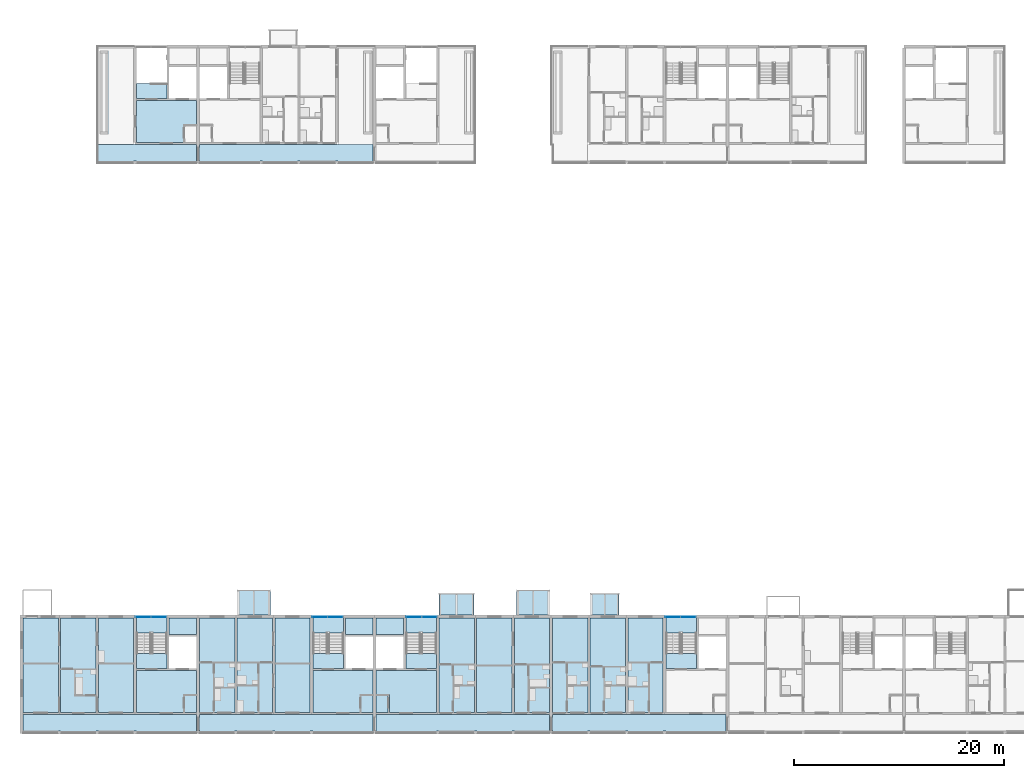
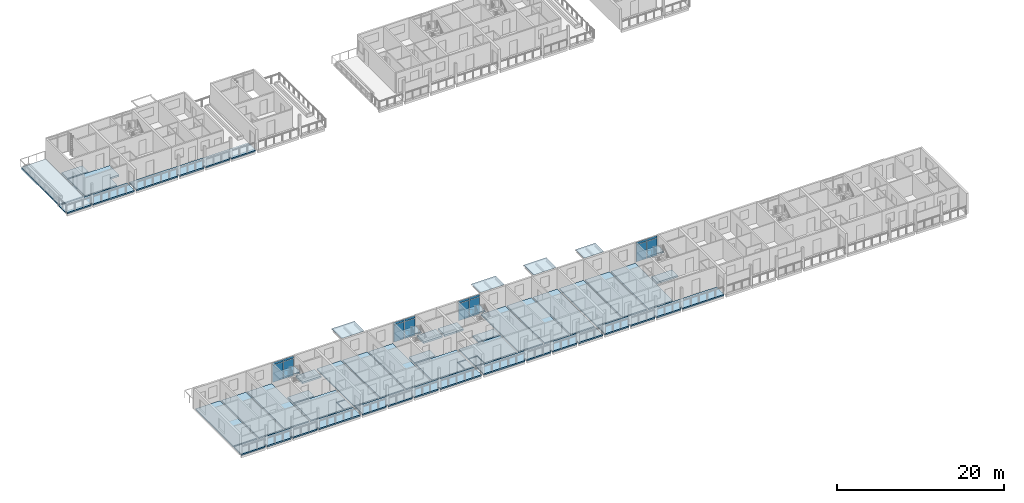
# One storey, part 27 of 94: 42 slabs, 16 plates, 8 elements without a shape of their own.
"""IFC4 building model written with IfcOpenShell, lengths in metres."""

from ifc_helpers import new_model, si_unit, direction, frame, origin, origin_2d, place, context, subcontext, project, spatial, polyline, rectangle, outline, extrude, material, layer, layer_set, type_object, element, aggregate, save


model = new_model("IFC4")

# Units and contexts
model_context = context("Model", 3, precision=1e-05, world=origin(), true_north=direction((0.0, 1.0)))
body_context = subcontext(model_context, "Body", "Model", "MODEL_VIEW")
ifc_project = project(units=[si_unit("LENGTHUNIT", "METRE"), si_unit("AREAUNIT", "SQUARE_METRE"), si_unit("VOLUMEUNIT", "CUBIC_METRE"), si_unit("PLANEANGLEUNIT", "RADIAN"), si_unit("MASSUNIT", "GRAM", prefix="KILO")], contexts=[model_context])

# Site, building, storey
site_placement = place(None, origin())
site = spatial("IfcSite", under=ifc_project, at=site_placement, CompositionType="ELEMENT")
building_placement = place(site_placement, origin())
building = spatial("IfcBuilding", under=site, at=building_placement, Name="Ridgestep Commons", CompositionType="ELEMENT")
storey_placement = place(building_placement, frame((0.0, 0.0, 24.0)))
storey = spatial("IfcBuildingStorey", under=building, at=storey_placement, Name="L08", CompositionType="ELEMENT", Elevation=24.0)

# Slabs
ifc_material_1 = material(Name="Precast concrete C40/50", Category="concrete")
ifc_layer_1 = layer(ifc_material_1, 0.199951171875)
ifc_layer_set_1 = layer_set([ifc_layer_1], Name="Gallery slab 200")
slab_type_1 = type_object("IfcSlabType", Name="Gallery slab 200", PredefinedType="FLOOR", material=ifc_layer_set_1)
slab_1_placement = place(storey_placement, frame((0.0, 0.0, -0.199951171875)))
element("IfcSlab", 1, at=slab_1_placement, inside=storey, type_object=slab_type_1, Name="Gallery slab A1 L08", PredefinedType="FLOOR", context=body_context, shape_type="SweptSolid", body=[
    extrude(outline(polyline([(28.64990234375, 13.550048828125), (12.14990234375, 13.550048828125), (12.14990234375, 11.75), (15.47509765625, 11.75), (15.47509765625, 12.0), (15.72509765625, 12.0), (15.72509765625, 11.75), (19.074951171875, 11.75), (19.074951171875, 12.0), (19.324951171875, 12.0), (19.324951171875, 11.75), (22.675048828125, 11.75), (22.675048828125, 12.0), (22.925048828125, 12.0), (22.925048828125, 11.75), (28.64990234375, 11.75), (28.64990234375, 13.550048828125)])), origin(), (0.0, 0.0, 1.0), 0.199951171875),
])
slab_2_placement = place(storey_placement, frame((0.0, 0.0, -0.199951171875)))
element("IfcSlab", 2, at=slab_2_placement, inside=storey, type_object=slab_type_1, Name="Gallery slab A2 L08", PredefinedType="FLOOR", context=body_context, shape_type="SweptSolid", body=[
    extrude(outline(polyline([(45.449951171875, 13.550048828125), (28.949951171875, 13.550048828125), (28.949951171875, 11.75), (32.27490234375, 11.75), (32.27490234375, 12.0), (32.52490234375, 12.0), (32.52490234375, 11.75), (35.875, 11.75), (35.875, 12.0), (36.125, 12.0), (36.125, 11.75), (39.47509765625, 11.75), (39.47509765625, 12.0), (39.72509765625, 12.0), (39.72509765625, 11.75), (45.449951171875, 11.75), (45.449951171875, 13.550048828125)])), origin(), (0.0, 0.0, 1.0), 0.199951171875),
])
slab_3_placement = place(storey_placement, frame((0.0, 0.0, -0.199951171875)))
element("IfcSlab", 3, at=slab_3_placement, inside=storey, type_object=slab_type_1, Name="Gallery slab A3 L08", PredefinedType="FLOOR", context=body_context, shape_type="SweptSolid", body=[
    extrude(outline(polyline([(62.25, 13.550048828125), (45.75, 13.550048828125), (45.75, 11.75), (51.47509765625, 11.75), (51.47509765625, 12.0), (51.72509765625, 12.0), (51.72509765625, 11.75), (55.074951171875, 11.75), (55.074951171875, 12.0), (55.324951171875, 12.0), (55.324951171875, 11.75), (58.675048828125, 11.75), (58.675048828125, 12.0), (58.925048828125, 12.0), (58.925048828125, 11.75), (62.25, 11.75), (62.25, 13.550048828125)])), origin(), (0.0, 0.0, 1.0), 0.199951171875),
])
slab_4_placement = place(storey_placement, frame((0.0, 0.0, -0.199951171875)))
element("IfcSlab", 4, at=slab_4_placement, inside=storey, type_object=slab_type_1, Name="Gallery slab A4 L08", PredefinedType="FLOOR", context=body_context, shape_type="SweptSolid", body=[
    extrude(outline(polyline([(79.050048828125, 13.550048828125), (62.550048828125, 13.550048828125), (62.550048828125, 11.75), (65.875, 11.75), (65.875, 12.0), (66.125, 12.0), (66.125, 11.75), (69.47509765625, 11.75), (69.47509765625, 12.0), (69.72509765625, 12.0), (69.72509765625, 11.75), (73.074951171875, 11.75), (73.074951171875, 12.0), (73.324951171875, 12.0), (73.324951171875, 11.75), (79.050048828125, 11.75), (79.050048828125, 13.550048828125)])), origin(), (0.0, 0.0, 1.0), 0.199951171875),
])
slab_5_placement = place(storey_placement, frame((0.0, 0.0, -0.199951171875)))
element("IfcSlab", 5, at=slab_5_placement, inside=storey, type_object=slab_type_1, Name="Gallery slab B1 L08", PredefinedType="FLOOR", context=body_context, shape_type="SweptSolid", body=[
    extrude(outline(polyline([(28.64990234375, 67.800048828125), (19.199951171875, 67.800048828125), (19.199951171875, 66.25), (19.324951171875, 66.25), (19.324951171875, 66.0), (22.675048828125, 66.0), (22.675048828125, 66.25), (22.925048828125, 66.25), (22.925048828125, 66.0), (28.64990234375, 66.0), (28.64990234375, 67.800048828125)])), origin(), (0.0, 0.0, 1.0), 0.199951171875),
])
slab_6_placement = place(storey_placement, frame((0.0, 0.0, -0.199951171875)))
element("IfcSlab", 6, at=slab_6_placement, inside=storey, type_object=slab_type_1, Name="Gallery slab B2 L08", PredefinedType="FLOOR", context=body_context, shape_type="SweptSolid", body=[
    extrude(outline(polyline([(45.449951171875, 67.800048828125), (28.949951171875, 67.800048828125), (28.949951171875, 66.0), (34.675048828125, 66.0), (34.675048828125, 66.25), (34.925048828125, 66.25), (34.925048828125, 66.0), (38.27490234375, 66.0), (38.27490234375, 66.25), (38.52490234375, 66.25), (38.52490234375, 66.0), (41.875, 66.0), (41.875, 66.25), (42.125, 66.25), (42.125, 66.0), (45.449951171875, 66.0), (45.449951171875, 67.800048828125)])), origin(), (0.0, 0.0, 1.0), 0.199951171875),
])

# Curtain wall, plates
ifc_material_2 = material(Name="Aluminium 6063-T6 and glass", Category="aluminium")
curtain_wall_type = type_object("IfcCurtainWallType", Name="Curtain wall stair strip", PredefinedType="NOTDEFINED", material=ifc_material_2)
curtain_wall_1_placement = place(storey_placement, origin())
curtain_wall_1 = element("IfcCurtainWall", 7, at=curtain_wall_1_placement, inside=storey, type_object=curtain_wall_type, Name="Curtain wall A1C level 08", PredefinedType="NOTDEFINED")
ifc_material_3 = material(Name="Glass laminated 6/16/6 low-emissivity", Category="glass")
ifc_layer_2 = layer(ifc_material_3, 0.028076171875)
ifc_layer_set_2 = layer_set([ifc_layer_2], Name="Glazing panel 28")
plate_type_1 = type_object("IfcPlateType", Name="Glazing panel 28", PredefinedType="CURTAIN_PANEL", material=ifc_layer_set_2)
plate_1_placement = place(storey_placement, frame((23.5712890625, 22.830078125, 0.06005859375), z_axis=(0.0, 0.0, 1.0), x_axis=(1.0, 0.0, 0.0)))
plate_1 = element("IfcPlate", 8, at=plate_1_placement, type_object=plate_type_1, Name="CW1 panel 1.1", PredefinedType="CURTAIN_PANEL", context=body_context, shape_type="SweptSolid", body=[
    extrude(rectangle(XDim=1.422607421875, YDim=0.028076171875, at=origin_2d()), origin(), (0.0, 0.0, 1.0), 2.5),
])
plate_2_placement = place(storey_placement, frame((25.0537109375, 22.830078125, 0.06005859375), z_axis=(0.0, 0.0, 1.0), x_axis=(1.0, 0.0, 0.0)))
plate_2 = element("IfcPlate", 9, at=plate_2_placement, type_object=plate_type_1, Name="CW1 panel 2.1", PredefinedType="CURTAIN_PANEL", context=body_context, shape_type="SweptSolid", body=[
    extrude(rectangle(XDim=1.422607421875, YDim=0.028076171875, at=origin_2d()), origin(), (0.0, 0.0, 1.0), 2.5),
])

curtain_wall_2_placement = place(storey_placement, origin())
curtain_wall_2 = element("IfcCurtainWall", 10, at=curtain_wall_2_placement, inside=storey, type_object=curtain_wall_type, Name="Curtain wall A2C level 08", PredefinedType="NOTDEFINED")
plate_3_placement = place(storey_placement, frame((40.371337890625, 22.830078125, 0.06005859375), z_axis=(0.0, 0.0, 1.0), x_axis=(1.0, 0.0, 0.0)))
plate_3 = element("IfcPlate", 11, at=plate_3_placement, type_object=plate_type_1, Name="CW1 panel 1.1", PredefinedType="CURTAIN_PANEL", context=body_context, shape_type="SweptSolid", body=[
    extrude(rectangle(XDim=1.422607421875, YDim=0.028076171875, at=origin_2d()), origin(), (0.0, 0.0, 1.0), 2.5),
])
plate_4_placement = place(storey_placement, frame((41.853759765625, 22.830078125, 0.06005859375), z_axis=(0.0, 0.0, 1.0), x_axis=(1.0, 0.0, 0.0)))
plate_4 = element("IfcPlate", 12, at=plate_4_placement, type_object=plate_type_1, Name="CW1 panel 2.1", PredefinedType="CURTAIN_PANEL", context=body_context, shape_type="SweptSolid", body=[
    extrude(rectangle(XDim=1.422607421875, YDim=0.028076171875, at=origin_2d()), origin(), (0.0, 0.0, 1.0), 2.5),
])

curtain_wall_3_placement = place(storey_placement, origin())
curtain_wall_3 = element("IfcCurtainWall", 13, at=curtain_wall_3_placement, inside=storey, type_object=curtain_wall_type, Name="Curtain wall A3C level 08", PredefinedType="NOTDEFINED")
plate_5_placement = place(storey_placement, frame((49.34619140625, 22.830078125, 0.06005859375), z_axis=(0.0, 0.0, 1.0), x_axis=(1.0, 0.0, 0.0)))
plate_5 = element("IfcPlate", 14, at=plate_5_placement, type_object=plate_type_1, Name="CW1 panel 1.1", PredefinedType="CURTAIN_PANEL", context=body_context, shape_type="SweptSolid", body=[
    extrude(rectangle(XDim=1.422607421875, YDim=0.028076171875, at=origin_2d()), origin(), (0.0, 0.0, 1.0), 2.5),
])
plate_6_placement = place(storey_placement, frame((50.828857421875, 22.830078125, 0.06005859375), z_axis=(0.0, 0.0, 1.0), x_axis=(1.0, 0.0, 0.0)))
plate_6 = element("IfcPlate", 15, at=plate_6_placement, type_object=plate_type_1, Name="CW1 panel 2.1", PredefinedType="CURTAIN_PANEL", context=body_context, shape_type="SweptSolid", body=[
    extrude(rectangle(XDim=1.422607421875, YDim=0.028076171875, at=origin_2d()), origin(), (0.0, 0.0, 1.0), 2.5),
])

curtain_wall_4_placement = place(storey_placement, origin())
curtain_wall_4 = element("IfcCurtainWall", 16, at=curtain_wall_4_placement, inside=storey, type_object=curtain_wall_type, Name="Curtain wall A4C level 08", PredefinedType="NOTDEFINED")
plate_7_placement = place(storey_placement, frame((73.97119140625, 22.830078125, 0.06005859375), z_axis=(0.0, 0.0, 1.0), x_axis=(1.0, 0.0, 0.0)))
plate_7 = element("IfcPlate", 17, at=plate_7_placement, type_object=plate_type_1, Name="CW1 panel 1.1", PredefinedType="CURTAIN_PANEL", context=body_context, shape_type="SweptSolid", body=[
    extrude(rectangle(XDim=1.422607421875, YDim=0.028076171875, at=origin_2d()), origin(), (0.0, 0.0, 1.0), 2.5),
])
plate_8_placement = place(storey_placement, frame((75.453857421875, 22.830078125, 0.06005859375), z_axis=(0.0, 0.0, 1.0), x_axis=(1.0, 0.0, 0.0)))
plate_8 = element("IfcPlate", 18, at=plate_8_placement, type_object=plate_type_1, Name="CW1 panel 2.1", PredefinedType="CURTAIN_PANEL", context=body_context, shape_type="SweptSolid", body=[
    extrude(rectangle(XDim=1.422607421875, YDim=0.028076171875, at=origin_2d()), origin(), (0.0, 0.0, 1.0), 2.5),
])

# Slabs
ifc_material_4 = material(Name="Precast concrete C50/60", Category="concrete")
ifc_layer_3 = layer(ifc_material_4, 0.199951171875)
ifc_layer_set_3 = layer_set([ifc_layer_3], Name="Hollow-core plank 200")
slab_type_2 = type_object("IfcSlabType", Name="Hollow-core plank 200", PredefinedType="FLOOR", material=ifc_layer_set_3)
slab_7_placement = place(storey_placement, frame((0.0, 0.0, -0.199951171875)))
element("IfcSlab", 19, at=slab_7_placement, inside=storey, type_object=slab_type_2, Name="Floor plank A1T1 L08", PredefinedType="FLOOR", context=body_context, shape_type="SweptSolid", body=[
    extrude(outline(polyline([(15.5, 13.75), (15.5, 22.75), (12.14990234375, 22.75), (12.14990234375, 13.75), (15.5, 13.75)])), origin(), (0.0, 0.0, 1.0), 0.199951171875),
])
slab_8_placement = place(storey_placement, frame((0.0, 0.0, -0.199951171875)))
element("IfcSlab", 20, at=slab_8_placement, inside=storey, type_object=slab_type_2, Name="Floor plank A1T2 L08", PredefinedType="FLOOR", context=body_context, shape_type="SweptSolid", body=[
    extrude(outline(polyline([(19.10009765625, 13.75), (19.10009765625, 22.75), (15.699951171875, 22.75), (15.699951171875, 13.75), (19.10009765625, 13.75)])), origin(), (0.0, 0.0, 1.0), 0.199951171875),
])
slab_9_placement = place(storey_placement, frame((0.0, 0.0, -0.199951171875)))
element("IfcSlab", 21, at=slab_9_placement, inside=storey, type_object=slab_type_2, Name="Floor plank A1T3 L08", PredefinedType="FLOOR", context=body_context, shape_type="SweptSolid", body=[
    extrude(outline(polyline([(22.675048828125, 13.75), (22.675048828125, 22.75), (19.300048828125, 22.75), (19.300048828125, 13.75), (22.675048828125, 13.75)])), origin(), (0.0, 0.0, 1.0), 0.199951171875),
])
slab_10_placement = place(storey_placement, frame((0.0, 0.0, -0.199951171875)))
element("IfcSlab", 22, at=slab_10_placement, inside=storey, type_object=slab_type_2, Name="Floor plank A2T1 L08", PredefinedType="FLOOR", context=body_context, shape_type="SweptSolid", body=[
    extrude(outline(polyline([(32.300048828125, 13.75), (32.300048828125, 22.75), (28.949951171875, 22.75), (28.949951171875, 13.75), (32.300048828125, 13.75)])), origin(), (0.0, 0.0, 1.0), 0.199951171875),
])
slab_11_placement = place(storey_placement, frame((0.0, 0.0, -0.199951171875)))
element("IfcSlab", 23, at=slab_11_placement, inside=storey, type_object=slab_type_2, Name="Floor plank A2T2 L08", PredefinedType="FLOOR", context=body_context, shape_type="SweptSolid", body=[
    extrude(outline(polyline([(35.89990234375, 13.75), (35.89990234375, 22.75), (32.5, 22.75), (32.5, 13.75), (35.89990234375, 13.75)])), origin(), (0.0, 0.0, 1.0), 0.199951171875),
])
slab_12_placement = place(storey_placement, frame((0.0, 0.0, -0.199951171875)))
element("IfcSlab", 24, at=slab_12_placement, inside=storey, type_object=slab_type_2, Name="Floor plank A2T3 L08", PredefinedType="FLOOR", context=body_context, shape_type="SweptSolid", body=[
    extrude(outline(polyline([(39.47509765625, 13.75), (39.47509765625, 22.75), (36.10009765625, 22.75), (36.10009765625, 13.75), (39.47509765625, 13.75)])), origin(), (0.0, 0.0, 1.0), 0.199951171875),
])
slab_13_placement = place(storey_placement, frame((0.0, 0.0, -0.199951171875)))
element("IfcSlab", 25, at=slab_13_placement, inside=storey, type_object=slab_type_2, Name="Floor plank A3T3 L08", PredefinedType="FLOOR", context=body_context, shape_type="SweptSolid", body=[
    extrude(outline(polyline([(55.10009765625, 13.75), (55.10009765625, 22.75), (51.72509765625, 22.75), (51.72509765625, 13.75), (55.10009765625, 13.75)])), origin(), (0.0, 0.0, 1.0), 0.199951171875),
])
slab_14_placement = place(storey_placement, frame((0.0, 0.0, -0.199951171875)))
element("IfcSlab", 26, at=slab_14_placement, inside=storey, type_object=slab_type_2, Name="Floor plank A3T2 L08", PredefinedType="FLOOR", context=body_context, shape_type="SweptSolid", body=[
    extrude(outline(polyline([(58.699951171875, 13.75), (58.699951171875, 22.75), (55.300048828125, 22.75), (55.300048828125, 13.75), (58.699951171875, 13.75)])), origin(), (0.0, 0.0, 1.0), 0.199951171875),
])
slab_15_placement = place(storey_placement, frame((0.0, 0.0, -0.199951171875)))
element("IfcSlab", 27, at=slab_15_placement, inside=storey, type_object=slab_type_2, Name="Floor plank A3T1 L08", PredefinedType="FLOOR", context=body_context, shape_type="SweptSolid", body=[
    extrude(outline(polyline([(62.25, 13.75), (62.25, 22.75), (58.89990234375, 22.75), (58.89990234375, 13.75), (62.25, 13.75)])), origin(), (0.0, 0.0, 1.0), 0.199951171875),
])
slab_16_placement = place(storey_placement, frame((0.0, 0.0, -0.199951171875)))
element("IfcSlab", 28, at=slab_16_placement, inside=storey, type_object=slab_type_2, Name="Floor plank A4T1 L08", PredefinedType="FLOOR", context=body_context, shape_type="SweptSolid", body=[
    extrude(outline(polyline([(65.89990234375, 13.75), (65.89990234375, 22.75), (62.550048828125, 22.75), (62.550048828125, 13.75), (65.89990234375, 13.75)])), origin(), (0.0, 0.0, 1.0), 0.199951171875),
])
slab_17_placement = place(storey_placement, frame((0.0, 0.0, -0.199951171875)))
element("IfcSlab", 29, at=slab_17_placement, inside=storey, type_object=slab_type_2, Name="Floor plank A4T2 L08", PredefinedType="FLOOR", context=body_context, shape_type="SweptSolid", body=[
    extrude(outline(polyline([(69.5, 13.75), (69.5, 22.75), (66.10009765625, 22.75), (66.10009765625, 13.75), (69.5, 13.75)])), origin(), (0.0, 0.0, 1.0), 0.199951171875),
])
slab_18_placement = place(storey_placement, frame((0.0, 0.0, -0.199951171875)))
element("IfcSlab", 30, at=slab_18_placement, inside=storey, type_object=slab_type_2, Name="Floor plank A4T3 L08", PredefinedType="FLOOR", context=body_context, shape_type="SweptSolid", body=[
    extrude(outline(polyline([(73.074951171875, 13.75), (73.074951171875, 22.75), (69.699951171875, 22.75), (69.699951171875, 13.75), (73.074951171875, 13.75)])), origin(), (0.0, 0.0, 1.0), 0.199951171875),
])
ifc_material_5 = material(Name="Precast concrete C50/60", Category="concrete")
ifc_layer_4 = layer(ifc_material_5, 0.25)
ifc_layer_set_4 = layer_set([ifc_layer_4], Name="Hollow-core plank 250")
slab_type_3 = type_object("IfcSlabType", Name="Hollow-core plank 250", PredefinedType="FLOOR", material=ifc_layer_set_4)
slab_19_placement = place(storey_placement, frame((0.0, 0.0, -0.25)))
element("IfcSlab", 31, at=slab_19_placement, inside=storey, type_object=slab_type_3, Name="Floor plank A1C L08", PredefinedType="FLOOR", context=body_context, shape_type="SweptSolid", body=[
    extrude(outline(polyline([(27.52001953125, 15.469970703125), (28.64990234375, 15.469970703125), (28.64990234375, 17.75), (22.925048828125, 17.75), (22.925048828125, 13.75), (27.39990234375, 13.75), (27.39990234375, 15.469970703125), (27.52001953125, 15.469970703125)])), origin(), (0.0, 0.0, 1.0), 0.25),
])
slab_20_placement = place(storey_placement, frame((0.0, 0.0, -0.25)))
element("IfcSlab", 32, at=slab_20_placement, inside=storey, type_object=slab_type_3, Name="Floor plank A1C L08", PredefinedType="FLOOR", context=body_context, shape_type="SweptSolid", body=[
    extrude(outline(polyline([(28.64990234375, 21.14990234375), (28.64990234375, 22.75), (26.02490234375, 22.75), (26.02490234375, 21.14990234375), (28.64990234375, 21.14990234375)])), origin(), (0.0, 0.0, 1.0), 0.25),
])
slab_21_placement = place(storey_placement, frame((0.0, 0.0, -0.25)))
element("IfcSlab", 33, at=slab_21_placement, inside=storey, type_object=slab_type_3, Name="Floor plank A1C L08", PredefinedType="FLOOR", context=body_context, shape_type="SweptSolid", body=[
    extrude(outline(polyline([(25.824951171875, 17.949951171875), (25.824951171875, 19.35009765625), (22.925048828125, 19.35009765625), (22.925048828125, 17.949951171875), (25.824951171875, 17.949951171875)])), origin(), (0.0, 0.0, 1.0), 0.25),
])
slab_22_placement = place(storey_placement, frame((0.0, 0.0, -0.25)))
element("IfcSlab", 34, at=slab_22_placement, inside=storey, type_object=slab_type_3, Name="Floor plank A1C L08", PredefinedType="FLOOR", context=body_context, shape_type="SweptSolid", body=[
    extrude(outline(polyline([(27.52001953125, 13.75), (28.64990234375, 13.75), (28.64990234375, 15.35009765625), (27.52001953125, 15.35009765625), (27.52001953125, 13.75)])), origin(), (0.0, 0.0, 1.0), 0.25),
])
slab_23_placement = place(storey_placement, frame((0.0, 0.0, -0.25)))
element("IfcSlab", 35, at=slab_23_placement, inside=storey, type_object=slab_type_3, Name="Floor plank A2C L08", PredefinedType="FLOOR", context=body_context, shape_type="SweptSolid", body=[
    extrude(outline(polyline([(44.320068359375, 15.469970703125), (45.449951171875, 15.469970703125), (45.449951171875, 17.75), (39.72509765625, 17.75), (39.72509765625, 13.75), (44.199951171875, 13.75), (44.199951171875, 15.469970703125), (44.320068359375, 15.469970703125)])), origin(), (0.0, 0.0, 1.0), 0.25),
])
slab_24_placement = place(storey_placement, frame((0.0, 0.0, -0.25)))
element("IfcSlab", 36, at=slab_24_placement, inside=storey, type_object=slab_type_3, Name="Floor plank A2C L08", PredefinedType="FLOOR", context=body_context, shape_type="SweptSolid", body=[
    extrude(outline(polyline([(45.449951171875, 21.14990234375), (45.449951171875, 22.75), (42.824951171875, 22.75), (42.824951171875, 21.14990234375), (45.449951171875, 21.14990234375)])), origin(), (0.0, 0.0, 1.0), 0.25),
])
slab_25_placement = place(storey_placement, frame((0.0, 0.0, -0.25)))
element("IfcSlab", 37, at=slab_25_placement, inside=storey, type_object=slab_type_3, Name="Floor plank A2C L08", PredefinedType="FLOOR", context=body_context, shape_type="SweptSolid", body=[
    extrude(outline(polyline([(42.625, 17.949951171875), (42.625, 19.35009765625), (39.72509765625, 19.35009765625), (39.72509765625, 17.949951171875), (42.625, 17.949951171875)])), origin(), (0.0, 0.0, 1.0), 0.25),
])
slab_26_placement = place(storey_placement, frame((0.0, 0.0, -0.25)))
element("IfcSlab", 38, at=slab_26_placement, inside=storey, type_object=slab_type_3, Name="Floor plank A2C L08", PredefinedType="FLOOR", context=body_context, shape_type="SweptSolid", body=[
    extrude(outline(polyline([(44.320068359375, 13.75), (45.449951171875, 13.75), (45.449951171875, 15.35009765625), (44.320068359375, 15.35009765625), (44.320068359375, 13.75)])), origin(), (0.0, 0.0, 1.0), 0.25),
])
slab_27_placement = place(storey_placement, frame((0.0, 0.0, -0.25)))
element("IfcSlab", 39, at=slab_27_placement, inside=storey, type_object=slab_type_3, Name="Floor plank A3C L08", PredefinedType="FLOOR", context=body_context, shape_type="SweptSolid", body=[
    extrude(outline(polyline([(47.0, 13.75), (51.47509765625, 13.75), (51.47509765625, 17.75), (45.75, 17.75), (45.75, 15.469970703125), (46.8798828125, 15.469970703125), (47.0, 15.469970703125), (47.0, 13.75)])), origin(), (0.0, 0.0, 1.0), 0.25),
])
slab_28_placement = place(storey_placement, frame((0.0, 0.0, -0.25)))
element("IfcSlab", 40, at=slab_28_placement, inside=storey, type_object=slab_type_3, Name="Floor plank A3C L08", PredefinedType="FLOOR", context=body_context, shape_type="SweptSolid", body=[
    extrude(outline(polyline([(48.375, 22.75), (45.75, 22.75), (45.75, 21.14990234375), (48.375, 21.14990234375), (48.375, 22.75)])), origin(), (0.0, 0.0, 1.0), 0.25),
])
slab_29_placement = place(storey_placement, frame((0.0, 0.0, -0.25)))
element("IfcSlab", 41, at=slab_29_placement, inside=storey, type_object=slab_type_3, Name="Floor plank A3C L08", PredefinedType="FLOOR", context=body_context, shape_type="SweptSolid", body=[
    extrude(outline(polyline([(51.47509765625, 17.949951171875), (51.47509765625, 19.35009765625), (48.574951171875, 19.35009765625), (48.574951171875, 17.949951171875), (51.47509765625, 17.949951171875)])), origin(), (0.0, 0.0, 1.0), 0.25),
])
slab_30_placement = place(storey_placement, frame((0.0, 0.0, -0.25)))
element("IfcSlab", 42, at=slab_30_placement, inside=storey, type_object=slab_type_3, Name="Floor plank A3C L08", PredefinedType="FLOOR", context=body_context, shape_type="SweptSolid", body=[
    extrude(outline(polyline([(46.8798828125, 15.35009765625), (45.75, 15.35009765625), (45.75, 13.75), (46.8798828125, 13.75), (46.8798828125, 15.35009765625)])), origin(), (0.0, 0.0, 1.0), 0.25),
])
slab_31_placement = place(storey_placement, frame((0.0, 0.0, -0.25)))
element("IfcSlab", 43, at=slab_31_placement, inside=storey, type_object=slab_type_3, Name="Floor plank A4C L08", PredefinedType="FLOOR", context=body_context, shape_type="SweptSolid", body=[
    extrude(outline(polyline([(76.22509765625, 17.949951171875), (76.22509765625, 19.35009765625), (73.324951171875, 19.35009765625), (73.324951171875, 17.949951171875), (76.22509765625, 17.949951171875)])), origin(), (0.0, 0.0, 1.0), 0.25),
])
slab_32_placement = place(storey_placement, frame((0.0, 0.0, -0.25)))
element("IfcSlab", 44, at=slab_32_placement, inside=storey, type_object=slab_type_3, Name="Floor plank B1C L08", PredefinedType="FLOOR", context=body_context, shape_type="SweptSolid", body=[
    extrude(outline(polyline([(27.52001953125, 69.719970703125), (28.64990234375, 69.719970703125), (28.64990234375, 72.0), (22.925048828125, 72.0), (22.925048828125, 68.0), (27.39990234375, 68.0), (27.39990234375, 69.719970703125), (27.52001953125, 69.719970703125)])), origin(), (0.0, 0.0, 1.0), 0.25),
])
slab_33_placement = place(storey_placement, frame((0.0, 0.0, -0.25)))
element("IfcSlab", 45, at=slab_33_placement, inside=storey, type_object=slab_type_3, Name="Floor plank B1C L08", PredefinedType="FLOOR", context=body_context, shape_type="SweptSolid", body=[
    extrude(outline(polyline([(25.824951171875, 72.199951171875), (25.824951171875, 73.60009765625), (22.925048828125, 73.60009765625), (22.925048828125, 72.199951171875), (25.824951171875, 72.199951171875)])), origin(), (0.0, 0.0, 1.0), 0.25),
])
ifc_material_6 = material(Name="Precast concrete C50/60", Category="concrete")
ifc_layer_5 = layer(ifc_material_6, 0.25)
ifc_layer_set_5 = layer_set([ifc_layer_5], Name="Roof slab 250")
slab_type_4 = type_object("IfcSlabType", Name="Roof slab 250", PredefinedType="ROOF", material=ifc_layer_set_5)
slab_34_placement = place(storey_placement, frame((0.0, 0.0, -0.25)))
element("IfcSlab", 46, at=slab_34_placement, inside=storey, type_object=slab_type_4, Name="Terrace slab B1T3", PredefinedType="ROOF", context=body_context, shape_type="SweptSolid", body=[
    extrude(outline(polyline([(22.675048828125, 68.0), (22.675048828125, 77.0), (19.300048828125, 77.0), (19.300048828125, 68.0), (22.675048828125, 68.0)])), origin(), (0.0, 0.0, 1.0), 0.25),
])

# Plate
ifc_material_7 = material(Name="Aluminium 6063-T6 and mineral wool", Category="aluminium")
ifc_layer_6 = layer(ifc_material_7, 0.0400390625)
ifc_layer_set_6 = layer_set([ifc_layer_6], Name="Spandrel panel 40")
plate_type_2 = type_object("IfcPlateType", Name="Spandrel panel 40", PredefinedType="CURTAIN_PANEL", material=ifc_layer_set_6)
plate_9_placement = place(storey_placement, frame((23.5712890625, 22.830078125, 2.6201171875), z_axis=(0.0, 0.0, 1.0), x_axis=(1.0, 0.0, 0.0)))
plate_9 = element("IfcPlate", 47, at=plate_9_placement, type_object=plate_type_2, Name="CW1 panel 1.2", PredefinedType="CURTAIN_PANEL", context=body_context, shape_type="SweptSolid", body=[
    extrude(rectangle(XDim=1.422607421875, YDim=0.0400390625, at=origin_2d()), origin(), (0.0, 0.0, 1.0), 0.320068359375),
])

plate_10_placement = place(storey_placement, frame((25.0537109375, 22.830078125, 2.6201171875), z_axis=(0.0, 0.0, 1.0), x_axis=(1.0, 0.0, 0.0)))
plate_10 = element("IfcPlate", 48, at=plate_10_placement, type_object=plate_type_2, Name="CW1 panel 2.2", PredefinedType="CURTAIN_PANEL", context=body_context, shape_type="SweptSolid", body=[
    extrude(rectangle(XDim=1.422607421875, YDim=0.0400390625, at=origin_2d()), origin(), (0.0, 0.0, 1.0), 0.320068359375),
])

aggregate(curtain_wall_1, [plate_1, plate_9, plate_2, plate_10])

plate_11_placement = place(storey_placement, frame((40.371337890625, 22.830078125, 2.6201171875), z_axis=(0.0, 0.0, 1.0), x_axis=(1.0, 0.0, 0.0)))
plate_11 = element("IfcPlate", 49, at=plate_11_placement, type_object=plate_type_2, Name="CW1 panel 1.2", PredefinedType="CURTAIN_PANEL", context=body_context, shape_type="SweptSolid", body=[
    extrude(rectangle(XDim=1.422607421875, YDim=0.0400390625, at=origin_2d()), origin(), (0.0, 0.0, 1.0), 0.320068359375),
])

plate_12_placement = place(storey_placement, frame((41.853759765625, 22.830078125, 2.6201171875), z_axis=(0.0, 0.0, 1.0), x_axis=(1.0, 0.0, 0.0)))
plate_12 = element("IfcPlate", 50, at=plate_12_placement, type_object=plate_type_2, Name="CW1 panel 2.2", PredefinedType="CURTAIN_PANEL", context=body_context, shape_type="SweptSolid", body=[
    extrude(rectangle(XDim=1.422607421875, YDim=0.0400390625, at=origin_2d()), origin(), (0.0, 0.0, 1.0), 0.320068359375),
])

aggregate(curtain_wall_2, [plate_3, plate_11, plate_4, plate_12])

plate_13_placement = place(storey_placement, frame((49.34619140625, 22.830078125, 2.6201171875), z_axis=(0.0, 0.0, 1.0), x_axis=(1.0, 0.0, 0.0)))
plate_13 = element("IfcPlate", 51, at=plate_13_placement, type_object=plate_type_2, Name="CW1 panel 1.2", PredefinedType="CURTAIN_PANEL", context=body_context, shape_type="SweptSolid", body=[
    extrude(rectangle(XDim=1.422607421875, YDim=0.0400390625, at=origin_2d()), origin(), (0.0, 0.0, 1.0), 0.320068359375),
])

plate_14_placement = place(storey_placement, frame((50.828857421875, 22.830078125, 2.6201171875), z_axis=(0.0, 0.0, 1.0), x_axis=(1.0, 0.0, 0.0)))
plate_14 = element("IfcPlate", 52, at=plate_14_placement, type_object=plate_type_2, Name="CW1 panel 2.2", PredefinedType="CURTAIN_PANEL", context=body_context, shape_type="SweptSolid", body=[
    extrude(rectangle(XDim=1.422607421875, YDim=0.0400390625, at=origin_2d()), origin(), (0.0, 0.0, 1.0), 0.320068359375),
])

aggregate(curtain_wall_3, [plate_5, plate_13, plate_6, plate_14])

plate_15_placement = place(storey_placement, frame((73.97119140625, 22.830078125, 2.6201171875), z_axis=(0.0, 0.0, 1.0), x_axis=(1.0, 0.0, 0.0)))
plate_15 = element("IfcPlate", 53, at=plate_15_placement, type_object=plate_type_2, Name="CW1 panel 1.2", PredefinedType="CURTAIN_PANEL", context=body_context, shape_type="SweptSolid", body=[
    extrude(rectangle(XDim=1.422607421875, YDim=0.0400390625, at=origin_2d()), origin(), (0.0, 0.0, 1.0), 0.320068359375),
])

plate_16_placement = place(storey_placement, frame((75.453857421875, 22.830078125, 2.6201171875), z_axis=(0.0, 0.0, 1.0), x_axis=(1.0, 0.0, 0.0)))
plate_16 = element("IfcPlate", 54, at=plate_16_placement, type_object=plate_type_2, Name="CW1 panel 2.2", PredefinedType="CURTAIN_PANEL", context=body_context, shape_type="SweptSolid", body=[
    extrude(rectangle(XDim=1.422607421875, YDim=0.0400390625, at=origin_2d()), origin(), (0.0, 0.0, 1.0), 0.320068359375),
])

aggregate(curtain_wall_4, [plate_7, plate_15, plate_8, plate_16])

# Stair, slab
ifc_material_8 = material(Name="Precast concrete C40/50", Category="concrete")
stair_type = type_object("IfcStairType", Name="Escape stair 1400", PredefinedType="HALF_TURN_STAIR", material=ifc_material_8)
stair_1_placement = place(storey_placement, origin())
stair_1 = element("IfcStair", 55, at=stair_1_placement, inside=storey, type_object=stair_type, Name="L08 Escape stair A1C", PredefinedType="HALF_TURN_STAIR")
ifc_material_9 = material(Name="Precast concrete C40/50", Category="concrete")
ifc_layer_7 = layer(ifc_material_9, 0.199951171875)
ifc_layer_set_7 = layer_set([ifc_layer_7], Name="Stair landing 200")
slab_type_5 = type_object("IfcSlabType", Name="Stair landing 200", PredefinedType="LANDING", material=ifc_layer_set_7)
slab_35_placement = place(storey_placement, frame((0.0, 0.0, 1.300048828125)))
slab_35 = element("IfcSlab", 56, at=slab_35_placement, type_object=slab_type_5, Name="A1C landing 1", PredefinedType="LANDING", context=body_context, shape_type="SweptSolid", body=[
    extrude(outline(polyline([(25.824951171875, 21.31005859375), (25.824951171875, 22.75), (22.925048828125, 22.75), (22.925048828125, 21.31005859375), (25.824951171875, 21.31005859375)])), origin(), (0.0, 0.0, 1.0), 0.199951171875),
])
aggregate(stair_1, [slab_35])

stair_2_placement = place(storey_placement, origin())
stair_2 = element("IfcStair", 57, at=stair_2_placement, inside=storey, type_object=stair_type, Name="L08 Escape stair A2C", PredefinedType="HALF_TURN_STAIR")
slab_36_placement = place(storey_placement, frame((0.0, 0.0, 1.300048828125)))
slab_36 = element("IfcSlab", 58, at=slab_36_placement, type_object=slab_type_5, Name="A2C landing 1", PredefinedType="LANDING", context=body_context, shape_type="SweptSolid", body=[
    extrude(outline(polyline([(42.625, 21.31005859375), (42.625, 22.75), (39.72509765625, 22.75), (39.72509765625, 21.31005859375), (42.625, 21.31005859375)])), origin(), (0.0, 0.0, 1.0), 0.199951171875),
])
aggregate(stair_2, [slab_36])

stair_3_placement = place(storey_placement, origin())
stair_3 = element("IfcStair", 59, at=stair_3_placement, inside=storey, type_object=stair_type, Name="L08 Escape stair A3C", PredefinedType="HALF_TURN_STAIR")
slab_37_placement = place(storey_placement, frame((0.0, 0.0, 1.300048828125)))
slab_37 = element("IfcSlab", 60, at=slab_37_placement, type_object=slab_type_5, Name="A3C landing 1", PredefinedType="LANDING", context=body_context, shape_type="SweptSolid", body=[
    extrude(outline(polyline([(51.47509765625, 21.31005859375), (51.47509765625, 22.75), (48.574951171875, 22.75), (48.574951171875, 21.31005859375), (51.47509765625, 21.31005859375)])), origin(), (0.0, 0.0, 1.0), 0.199951171875),
])
aggregate(stair_3, [slab_37])

stair_4_placement = place(storey_placement, origin())
stair_4 = element("IfcStair", 61, at=stair_4_placement, inside=storey, type_object=stair_type, Name="L08 Escape stair A4C", PredefinedType="HALF_TURN_STAIR")
slab_38_placement = place(storey_placement, frame((0.0, 0.0, 1.300048828125)))
slab_38 = element("IfcSlab", 62, at=slab_38_placement, type_object=slab_type_5, Name="A4C landing 1", PredefinedType="LANDING", context=body_context, shape_type="SweptSolid", body=[
    extrude(outline(polyline([(76.22509765625, 21.31005859375), (76.22509765625, 22.75), (73.324951171875, 22.75), (73.324951171875, 21.31005859375), (76.22509765625, 21.31005859375)])), origin(), (0.0, 0.0, 1.0), 0.199951171875),
])
aggregate(stair_4, [slab_38])

# Slabs
ifc_material_10 = material(Name="Weathering steel S355J2W", Category="steel")
ifc_layer_8 = layer(ifc_material_10, 0.010009765625)
ifc_layer_set_8 = layer_set([ifc_layer_8], Name="Tray 2.8 x 2.1")
slab_type_6 = type_object("IfcSlabType", Name="Tray 2.8 x 2.1", PredefinedType="FLOOR", material=ifc_layer_set_8)
slab_39_placement = place(storey_placement, frame((0.0, 0.0, 2.989990234375)))
element("IfcSlab", 63, at=slab_39_placement, inside=storey, type_object=slab_type_6, Name="Tray deck A4T2-09", PredefinedType="FLOOR", context=body_context, shape_type="SweptSolid", body=[
    extrude(outline(polyline([(66.1298828125, 23.0), (68.8701171875, 23.0), (68.8701171875, 25.10009765625), (66.1298828125, 25.10009765625), (66.1298828125, 23.0)])), origin(), (0.0, 0.0, 1.0), 0.010009765625),
])
ifc_material_11 = material(Name="Weathering steel S355J2W", Category="steel")
ifc_layer_9 = layer(ifc_material_11, 0.010009765625)
ifc_layer_set_9 = layer_set([ifc_layer_9], Name="Tray 3.2 x 2.4")
slab_type_7 = type_object("IfcSlabType", Name="Tray 3.2 x 2.4", PredefinedType="FLOOR", material=ifc_layer_set_9)
slab_40_placement = place(storey_placement, frame((0.0, 0.0, 2.989990234375)))
element("IfcSlab", 64, at=slab_40_placement, inside=storey, type_object=slab_type_7, Name="Tray deck A3T1-09", PredefinedType="FLOOR", context=body_context, shape_type="SweptSolid", body=[
    extrude(outline(polyline([(59.1298828125, 23.0), (62.27001953125, 23.0), (62.27001953125, 25.39990234375), (59.1298828125, 25.39990234375), (59.1298828125, 23.0)])), origin(), (0.0, 0.0, 1.0), 0.010009765625),
])
slab_41_placement = place(storey_placement, frame((0.0, 0.0, 2.989990234375)))
element("IfcSlab", 65, at=slab_41_placement, inside=storey, type_object=slab_type_7, Name="Tray deck A2T2-09", PredefinedType="FLOOR", context=body_context, shape_type="SweptSolid", body=[
    extrude(outline(polyline([(32.530029296875, 23.0), (35.669921875, 23.0), (35.669921875, 25.39990234375), (32.530029296875, 25.39990234375), (32.530029296875, 23.0)])), origin(), (0.0, 0.0, 1.0), 0.010009765625),
])
ifc_material_12 = material(Name="Weathering steel S355J2W", Category="steel")
ifc_layer_10 = layer(ifc_material_12, 0.010009765625)
ifc_layer_set_10 = layer_set([ifc_layer_10], Name="Tray 3.4 x 2.1")
slab_type_8 = type_object("IfcSlabType", Name="Tray 3.4 x 2.1", PredefinedType="FLOOR", material=ifc_layer_set_10)
slab_42_placement = place(storey_placement, frame((0.0, 0.0, 2.989990234375)))
element("IfcSlab", 66, at=slab_42_placement, inside=storey, type_object=slab_type_8, Name="Tray deck A3T3-09", PredefinedType="FLOOR", context=body_context, shape_type="SweptSolid", body=[
    extrude(outline(polyline([(51.72998046875, 23.0), (55.070068359375, 23.0), (55.070068359375, 25.10009765625), (51.72998046875, 25.10009765625), (51.72998046875, 23.0)])), origin(), (0.0, 0.0, 1.0), 0.010009765625),
])

save(model, "model.ifc")
